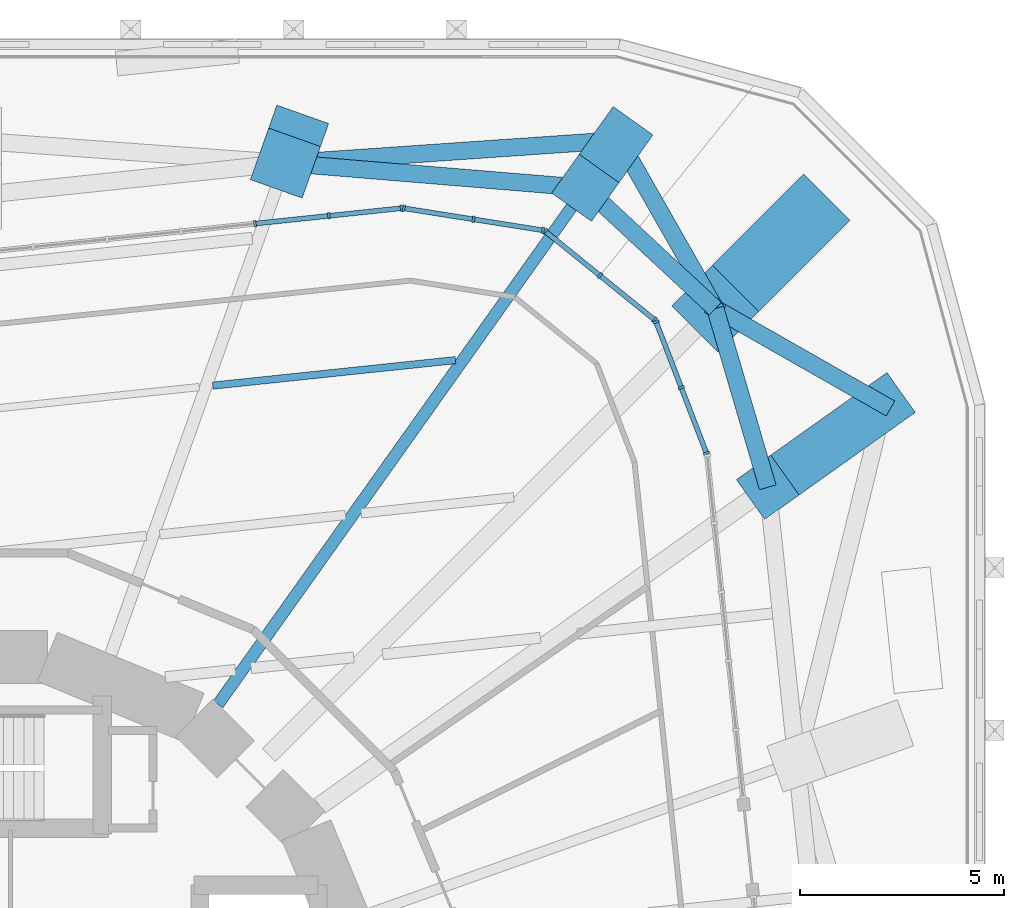
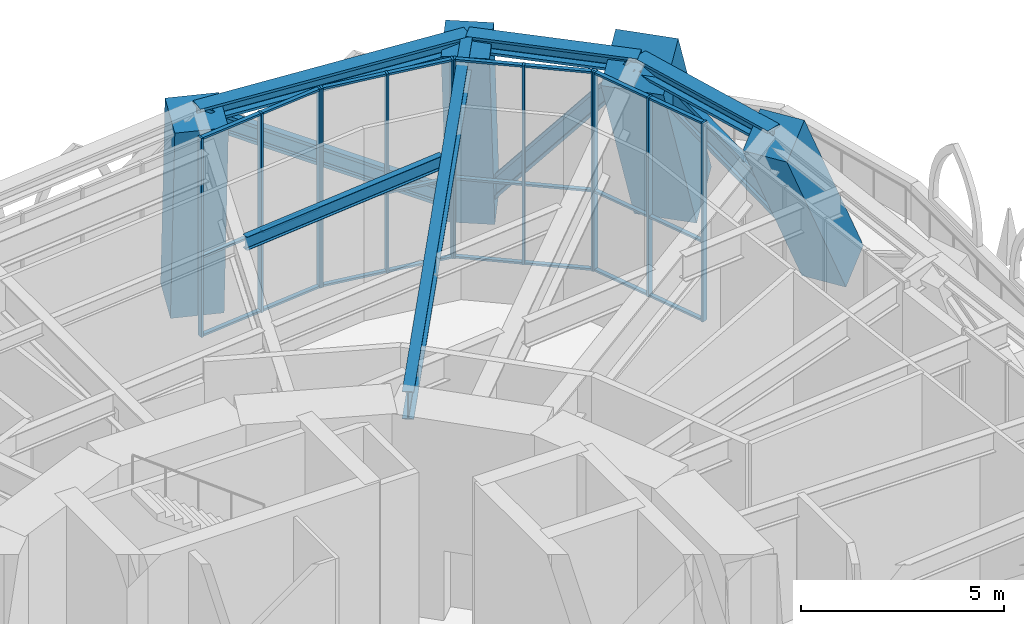
# One storey, part 11 of 20: 46 members, 2 beams, 4 elements without a shape of their own.
"""IFC4 building model written with IfcOpenShell, lengths in metres."""

import ifcopenshell
import ifcopenshell.guid

model = None  # the IFC model being written
_history = None  # IfcOwnerHistory: only IFC2X3 demands one
_inside = {}  # id of a spatial element -> (the spatial element, [elements in it])
_under = {}  # id of a project, library or spatial element -> (it, [spatial elements below it])
_declared = {}  # id of a project -> (the project, [libraries it declares])
_typed = {}  # id of a type object -> (the type object, [elements of that type])
_made_of = {}  # id of a material, layer set ... -> (it, [elements and type objects made of it])


def new_model(schema):
    """Start an empty IFC model of exactly this schema.

    Asked for "IFC4X3", IfcOpenShell would pick the latest addendum, in which some entities
    have other attributes; the version numbers below select the first issue.
    IFC2X3 requires an IfcOwnerHistory on every rooted entity: one is made here for all.
    """
    global model, _history
    if schema == "IFC4X3":
        model = ifcopenshell.file(schema_version=(4, 3, 0, 0))
    else:
        model = ifcopenshell.file(schema=schema)
    _inside.clear()
    _under.clear()
    _declared.clear()
    _typed.clear()
    _made_of.clear()
    _history = None
    if model.schema == "IFC2X3":
        org = make("IfcOrganization", Name="unknown")
        user = make(
            "IfcPersonAndOrganization",
            ThePerson=make("IfcPerson", FamilyName="unknown"),
            TheOrganization=org,
        )
        app = make(
            "IfcApplication",
            ApplicationDeveloper=org,
            Version="unknown",
            ApplicationFullName="unknown",
            ApplicationIdentifier="unknown",
        )
        _history = make(
            "IfcOwnerHistory",
            OwningUser=user,
            OwningApplication=app,
            ChangeAction="ADDED",
            CreationDate=0,
        )
    return model


def make(cls, **values):
    """One entity of the class cls with the attributes given. An attribute that is None is left unset."""
    return model.create_entity(
        cls, **{name: value for name, value in values.items() if value is not None}
    )


def rooted(cls, **values):
    """An entity with a GlobalId (a new one), such as an element, a storey or a relation."""
    return make(cls, GlobalId=ifcopenshell.guid.new(), OwnerHistory=_history, **values)


def si_unit(unit_type, name, prefix=None):
    """IfcSIUnit, for example si_unit("LENGTHUNIT", "METRE", prefix="MILLI")."""
    return make("IfcSIUnit", UnitType=unit_type, Prefix=prefix, Name=name)


def assignment(units):
    """IfcUnitAssignment: the units of a project."""
    return None if units is None else make("IfcUnitAssignment", Units=units)


def point(xyz):
    """IfcCartesianPoint."""
    return None if xyz is None else make("IfcCartesianPoint", Coordinates=xyz)


def direction(xyz):
    """IfcDirection."""
    return None if xyz is None else make("IfcDirection", DirectionRatios=xyz)


def frame(location, z_axis=None, x_axis=None):
    """IfcAxis2Placement3D, a coordinate frame: its origin and axes. An axis left out is left unset."""
    return make(
        "IfcAxis2Placement3D",
        Location=point(location),
        Axis=direction(z_axis),
        RefDirection=direction(x_axis),
    )


def frame_2d(location, x_axis=None):
    """IfcAxis2Placement2D, a coordinate frame in the plane: its origin and x axis."""
    return make(
        "IfcAxis2Placement2D", Location=point(location), RefDirection=direction(x_axis)
    )


def origin():
    """The frame at (0, 0, 0) with its axes left unset."""
    return frame((0.0, 0.0, 0.0))


def origin_2d():
    """The frame at (0, 0) in the plane with its x axis left unset."""
    return frame_2d((0.0, 0.0))


def place(relative_to, where):
    """IfcLocalPlacement: puts the frame where relative to a parent placement (None: the world)."""
    return make(
        "IfcLocalPlacement", PlacementRelTo=relative_to, RelativePlacement=where
    )


def context(
    kind, dimensions, precision=None, world=None, true_north=None, identifier=None
):
    """IfcGeometricRepresentationContext, for example the 3D "Model" context."""
    return make(
        "IfcGeometricRepresentationContext",
        ContextIdentifier=identifier,
        ContextType=kind,
        CoordinateSpaceDimension=dimensions,
        Precision=precision,
        WorldCoordinateSystem=world,
        TrueNorth=true_north,
    )


def subcontext(parent, identifier, kind, view, scale=None):
    """IfcGeometricRepresentationSubContext, for example "Body" below "Model"."""
    return make(
        "IfcGeometricRepresentationSubContext",
        ContextIdentifier=identifier,
        ContextType=kind,
        ParentContext=parent,
        TargetScale=scale,
        TargetView=view,
    )


def project(units=None, contexts=None):
    """IfcProject with its units and contexts."""
    return rooted(
        "IfcProject",
        Name="project",
        RepresentationContexts=contexts,
        UnitsInContext=assignment(units),
    )


def spatial(cls, under=None, at=None, **own):
    """A site, building, storey or space (cls), placed at a placement, below another one or the project."""
    s = rooted(cls, ObjectPlacement=at, **own)
    if under is not None:
        _under.setdefault(under.id(), (under, []))[1].append(s)
    return s


def profile(cls, at=None, kind="AREA", **sizes):
    """A parametric profile (cls). Its sizes go by their IFC names, for example OverallWidth=200.0."""
    return make(cls, ProfileType=kind, Position=at, **sizes)


def rectangle(**sizes):
    """IfcRectangleProfileDef."""
    return profile("IfcRectangleProfileDef", **sizes)


def i_section(**sizes):
    """IfcIShapeProfileDef."""
    return profile("IfcIShapeProfileDef", **sizes)


def extrude(swept, where, along, depth):
    """IfcExtrudedAreaSolid: the profile swept, set in the frame where, extruded along a direction by depth."""
    return make(
        "IfcExtrudedAreaSolid",
        SweptArea=swept,
        Position=where,
        ExtrudedDirection=direction(along),
        Depth=depth,
    )


def shape(context_of_items, identifier, shape_type, items):
    """IfcShapeRepresentation: the items that make up one representation, for example the "Body"."""
    return make(
        "IfcShapeRepresentation",
        ContextOfItems=context_of_items,
        RepresentationIdentifier=identifier,
        RepresentationType=shape_type,
        Items=items,
    )


def material(Name=None, Category=None):
    """IfcMaterial."""
    return make("IfcMaterial", Name=Name, Category=Category)


def material_profile(
    of_material, cross_section, Name=None, Category=None, Priority=None
):
    """IfcMaterialProfile: a cross section and its material."""
    return make(
        "IfcMaterialProfile",
        Name=Name,
        Material=of_material,
        Profile=cross_section,
        Priority=Priority,
        Category=Category,
    )


def profile_set(profiles, Name=None, composite=None):
    """IfcMaterialProfileSet."""
    return make(
        "IfcMaterialProfileSet",
        Name=Name,
        MaterialProfiles=profiles,
        CompositeProfile=composite,
    )


def made_of(thing, what):
    """Note that an element or type object is made of a material, layer set ...; save() writes the relation."""
    if what is not None:
        _made_of.setdefault(what.id(), (what, []))[1].append(thing)
    return thing


def type_object(cls, material=None, **own):
    """A type object (cls), such as IfcWallType, which elements share."""
    return made_of(rooted(cls, **own), material)


def element(
    cls,
    number,
    at=None,
    inside=None,
    cuts=None,
    type_object=None,
    material=None,
    context=None,
    identifier="Body",
    shape_type=None,
    held_by="IfcProductDefinitionShape",
    body=None,
    shapes=None,
    **own,
):
    """One element of the class cls, such as IfcWall. Its Tag is "e" and its number.

    at: its placement. inside: the storey or other place that contains it. cuts: it is an
    opening in that element (IfcRelVoidsElement). A single representation is given by context,
    identifier, shape_type and body (its items); several are given by shapes. held_by: the class
    of the entity that holds the representations. save() writes the other relations.
    """
    e = rooted(cls, Tag="e%d" % number, ObjectPlacement=at, **own)
    if body is not None:
        shapes = [shape(context, identifier, shape_type, body)]
    if shapes is not None:
        e.Representation = make(held_by, Representations=shapes)
    if inside is not None:
        _inside.setdefault(inside.id(), (inside, []))[1].append(e)
    if cuts is not None:
        rooted(
            "IfcRelVoidsElement", RelatingBuildingElement=cuts, RelatedOpeningElement=e
        )
    if type_object is not None:
        _typed.setdefault(type_object.id(), (type_object, []))[1].append(e)
    return made_of(e, material)


def aggregate(whole, parts):
    """IfcRelAggregates: a whole, such as a stair, and the parts it consists of."""
    return rooted("IfcRelAggregates", RelatingObject=whole, RelatedObjects=parts)


def save(model, path):
    """Write the relations noted so far, then the file.

    IfcRelAggregates (storeys below a building ...), IfcRelContainedInSpatialStructure (elements
    in a storey), IfcRelDefinesByType, IfcRelAssociatesMaterial and IfcRelDeclares: one each for
    every whole, place, type object, material and project.
    """
    for whole, parts in _under.values():
        aggregate(whole, parts)
    for where, things in _inside.values():
        rooted(
            "IfcRelContainedInSpatialStructure",
            RelatedElements=things,
            RelatingStructure=where,
        )
    for kind, things in _typed.values():
        rooted("IfcRelDefinesByType", RelatedObjects=things, RelatingType=kind)
    for what, things in _made_of.values():
        rooted("IfcRelAssociatesMaterial", RelatedObjects=things, RelatingMaterial=what)
    for by, libraries in _declared.values():
        rooted("IfcRelDeclares", RelatingContext=by, RelatedDefinitions=libraries)
    model.write(path)


model = new_model("IFC4")

# Units and contexts
model_context = context("Model", 3, precision=1e-05, world=origin(), true_north=direction((0.0, 1.0)))
body_context = subcontext(model_context, "Body", "Model", "MODEL_VIEW")
ifc_project = project(units=[si_unit("LENGTHUNIT", "METRE"), si_unit("AREAUNIT", "SQUARE_METRE"), si_unit("VOLUMEUNIT", "CUBIC_METRE"), si_unit("PLANEANGLEUNIT", "RADIAN"), si_unit("MASSUNIT", "GRAM", prefix="KILO")], contexts=[model_context])

# Site, building, storey
site_placement = place(None, origin())
site = spatial("IfcSite", under=ifc_project, at=site_placement, CompositionType="ELEMENT")
building_placement = place(site_placement, origin())
building = spatial("IfcBuilding", under=site, at=building_placement, Name="Nakasero Lantern House", CompositionType="ELEMENT")
storey_placement = place(building_placement, frame((0.0, 0.0, 54.5)))
storey = spatial("IfcBuildingStorey", under=building, at=storey_placement, Name="L13", CompositionType="ELEMENT", Elevation=54.5)

# Members
ifc_material_1 = material(Name="Steel S355", Category="steel")
ifc_material_profile_1 = material_profile(ifc_material_1, i_section(OverallWidth=0.424072265625, OverallDepth=0.474609375, WebThickness=0.047607421875, FlangeThickness=0.076904296875, FilletRadius=0.01513671875, at=origin_2d()), Name="UC 356x406x634")
ifc_profile_set_1 = profile_set([ifc_material_profile_1], Name="Steel S355")
member_type_1 = type_object("IfcMemberType", Name="Belt truss chord UC 356x406x634", PredefinedType="CHORD", material=ifc_profile_set_1)
member_1_placement = place(storey_placement, frame((19.647216796875, 13.971435546875, 5.562744140625), z_axis=(-0.28161710443, 0.959526865957, 0.0), x_axis=(-0.959526865957, -0.28161710443, 0.0)))
element("IfcMember", 1, at=member_1_placement, inside=storey, type_object=member_type_1, Name="Belt truss top chord T1 B2-C05T", PredefinedType="CHORD", context=body_context, shape_type="SweptSolid", body=[
    extrude(i_section(OverallWidth=0.424072265625, OverallDepth=0.474609375, WebThickness=0.047607421875, FlangeThickness=0.076904296875, FilletRadius=0.01513671875, at=origin_2d()), origin(), (0.0, 0.0, 1.0), 4.572998046875),
])
member_2_placement = place(storey_placement, frame((18.359375, 18.359375, 5.562744140625), z_axis=(-0.732370510336, 0.680906333933, 0.0), x_axis=(-0.680906333933, -0.732370510336, 0.0)))
element("IfcMember", 2, at=member_2_placement, inside=storey, type_object=member_type_1, Name="Belt truss top chord T1 B2-C06T", PredefinedType="CHORD", context=body_context, shape_type="SweptSolid", body=[
    extrude(i_section(OverallWidth=0.424072265625, OverallDepth=0.474609375, WebThickness=0.047607421875, FlangeThickness=0.076904296875, FilletRadius=0.01513671875, at=origin_2d()), origin(), (0.0, 0.0, 1.0), 4.359619140625),
])
member_3_placement = place(storey_placement, frame((15.16650390625, 21.327880859375, 5.562744140625), z_axis=(-0.996618261264, 0.08217080574, 0.0), x_axis=(-0.08217080574, -0.996618261264, 0.0)))
element("IfcMember", 3, at=member_3_placement, inside=storey, type_object=member_type_1, Name="Belt truss top chord T1 B2-C07T", PredefinedType="CHORD", context=body_context, shape_type="SweptSolid", body=[
    extrude(i_section(OverallWidth=0.424072265625, OverallDepth=0.474609375, WebThickness=0.047607421875, FlangeThickness=0.076904296875, FilletRadius=0.01513671875, at=origin_2d()), origin(), (0.0, 0.0, 1.0), 7.39208984375),
])
ifc_material_2 = material(Name="Steel S355", Category="steel")
ifc_material_profile_2 = material_profile(ifc_material_2, i_section(OverallWidth=0.424072265625, OverallDepth=0.474609375, WebThickness=0.047607421875, FlangeThickness=0.076904296875, FilletRadius=0.01513671875, at=origin_2d()), Name="UC 356x406x634")
ifc_profile_set_2 = profile_set([ifc_material_profile_2], Name="Steel S355")
member_type_2 = type_object("IfcMemberType", Name="Belt truss diagonal UC 356x406x634", PredefinedType="BRACE", material=ifc_profile_set_2)
for number, where, z_axis, x_axis, name in (
    (4, (22.5, 16.0, -0.437255859375), (-0.540386618811, 0.307918412983, 0.783050798579), (-0.495079306219, -0.86884778906, 0.0), "Belt truss diagonal T1-05"),
    (5, (18.359375, 18.359375, 5.562744140625), (-0.307918412983, 0.540386618811, -0.783050798579), (-0.86884778906, -0.495079306219, 0.0), "Belt truss diagonal T1-06"),
):
    element("IfcMember", number, at=place(storey_placement, frame(where, z_axis=z_axis, x_axis=x_axis)), inside=storey, type_object=member_type_2, Name=name, PredefinedType="BRACE", context=body_context, shape_type="SweptSolid", body=[
        extrude(i_section(OverallWidth=0.424072265625, OverallDepth=0.474609375, WebThickness=0.047607421875, FlangeThickness=0.076904296875, FilletRadius=0.01513671875, at=origin_2d()), origin(), (0.0, 0.0, 1.0), 7.662353515625),
    ])
member_4_placement = place(storey_placement, frame((16.0, 22.5, -0.437255859375), z_axis=(-0.805810402985, -0.055487926827, 0.589568218629), x_axis=(0.068697102838, -0.997637563478, 0.0)))
element("IfcMember", 6, at=member_4_placement, inside=storey, type_object=member_type_2, Name="Belt truss diagonal T1-07", PredefinedType="BRACE", context=body_context, shape_type="SweptSolid", body=[
    extrude(i_section(OverallWidth=0.424072265625, OverallDepth=0.474609375, WebThickness=0.047607421875, FlangeThickness=0.076904296875, FilletRadius=0.01513671875, at=origin_2d()), origin(), (0.0, 0.0, 1.0), 10.177001953125),
])

# Beam
ifc_material_3 = material(Name="Steel S355", Category="steel")
ifc_material_profile_3 = material_profile(ifc_material_3, i_section(OverallWidth=0.177978515625, OverallDepth=0.406494140625, WebThickness=0.0078125, FlangeThickness=0.0126953125, FilletRadius=0.01025390625, at=origin_2d()), Name="UB 406x178x60")
ifc_profile_set_3 = profile_set([ifc_material_profile_3], Name="Steel S355")
beam_type_1 = type_object("IfcBeamType", Name="Infill beam UB 406x178x60", PredefinedType="JOIST", material=ifc_profile_set_3)
beam_1_placement = place(storey_placement, frame((6.014892578125, 16.468994140625, 5.5966796875), z_axis=(0.994521729164, 0.104530044579, 0.0), x_axis=(-0.104530044579, 0.994521729164, 0.0)))
element("IfcBeam", 7, at=beam_1_placement, inside=storey, type_object=beam_type_1, Name="Infill beam L14 12.7", PredefinedType="JOIST", context=body_context, shape_type="SweptSolid", body=[
    extrude(i_section(OverallWidth=0.177978515625, OverallDepth=0.406494140625, WebThickness=0.0078125, FlangeThickness=0.0126953125, FilletRadius=0.01025390625, at=origin_2d()), origin(), (0.0, 0.0, 1.0), 5.99560546875),
])

# Curtain wall, members
ifc_material_4 = material(Name="Aluminium 6063-T6 and glass", Category="aluminium")
curtain_wall_type = type_object("IfcCurtainWallType", Name="Sky lounge glazing CW-3", PredefinedType="USERDEFINED", material=ifc_material_4)
curtain_wall_1_placement = place(storey_placement, origin())
curtain_wall_1 = element("IfcCurtainWall", 8, at=curtain_wall_1_placement, inside=storey, type_object=curtain_wall_type, Name="Curtain wall CW-3 L13", ObjectType="STICK CURTAIN WALL", PredefinedType="USERDEFINED")
ifc_material_5 = material(Name="Aluminium 6063-T6", Category="aluminium")
ifc_material_profile_4 = material_profile(ifc_material_5, rectangle(XDim=0.06005859375, YDim=0.159912109375, at=origin_2d()), Name="CW-3 mullion 60x160")
ifc_profile_set_4 = profile_set([ifc_material_profile_4], Name="Aluminium 6063-T6")
member_type_3 = type_object("IfcMemberType", Name="Mullion CW-3", PredefinedType="MULLION", material=ifc_profile_set_4)
member_5_placement = place(storey_placement, frame((18.142822265625, 14.806640625, 0.0), z_axis=(0.0, 0.0, 1.0), x_axis=(-0.358367949545, 0.933580426497, 0.0)))
member_5 = element("IfcMember", 9, at=member_5_placement, type_object=member_type_3, Name="CW-3 mullion 1", PredefinedType="MULLION", context=body_context, shape_type="SweptSolid", body=[
    extrude(rectangle(XDim=0.06005859375, YDim=0.159912109375, at=origin_2d()), origin(), (0.0, 0.0, 1.0), 6.0),
])
member_6_placement = place(storey_placement, frame((17.52294921875, 16.42138671875, 0.0), z_axis=(0.0, 0.0, 1.0), x_axis=(-0.358367949545, 0.933580426497, 0.0)))
member_6 = element("IfcMember", 10, at=member_6_placement, type_object=member_type_3, Name="CW-3 mullion 2", PredefinedType="MULLION", context=body_context, shape_type="SweptSolid", body=[
    extrude(rectangle(XDim=0.06005859375, YDim=0.159912109375, at=origin_2d()), origin(), (0.0, 0.0, 1.0), 6.0),
])
member_7_placement = place(storey_placement, frame((16.903076171875, 18.0361328125, 0.0), z_axis=(0.0, 0.0, 1.0), x_axis=(-0.358367949545, 0.933580426497, 0.0)))
member_7 = element("IfcMember", 11, at=member_7_placement, type_object=member_type_3, Name="CW-3 mullion 3", PredefinedType="MULLION", context=body_context, shape_type="SweptSolid", body=[
    extrude(rectangle(XDim=0.06005859375, YDim=0.159912109375, at=origin_2d()), origin(), (0.0, 0.0, 1.0), 6.0),
])

curtain_wall_2_placement = place(storey_placement, origin())
curtain_wall_2 = element("IfcCurtainWall", 12, at=curtain_wall_2_placement, inside=storey, type_object=curtain_wall_type, Name="Curtain wall CW-3 L13", ObjectType="STICK CURTAIN WALL", PredefinedType="USERDEFINED")
member_8_placement = place(storey_placement, frame((16.869140625, 18.0830078125, 0.0), z_axis=(0.0, 0.0, 1.0), x_axis=(-0.777145961457, 0.62932039105, 0.0)))
member_8 = element("IfcMember", 13, at=member_8_placement, type_object=member_type_3, Name="CW-3 mullion 1", PredefinedType="MULLION", context=body_context, shape_type="SweptSolid", body=[
    extrude(rectangle(XDim=0.06005859375, YDim=0.159912109375, at=origin_2d()), origin(), (0.0, 0.0, 1.0), 6.0),
])
member_9_placement = place(storey_placement, frame((15.52490234375, 19.171630859375, 0.0), z_axis=(0.0, 0.0, 1.0), x_axis=(-0.777145961457, 0.62932039105, 0.0)))
member_9 = element("IfcMember", 14, at=member_9_placement, type_object=member_type_3, Name="CW-3 mullion 2", PredefinedType="MULLION", context=body_context, shape_type="SweptSolid", body=[
    extrude(rectangle(XDim=0.06005859375, YDim=0.159912109375, at=origin_2d()), origin(), (0.0, 0.0, 1.0), 6.0),
])
member_10_placement = place(storey_placement, frame((14.1806640625, 20.26025390625, 0.0), z_axis=(0.0, 0.0, 1.0), x_axis=(-0.777145961457, 0.62932039105, 0.0)))
member_10 = element("IfcMember", 15, at=member_10_placement, type_object=member_type_3, Name="CW-3 mullion 3", PredefinedType="MULLION", context=body_context, shape_type="SweptSolid", body=[
    extrude(rectangle(XDim=0.06005859375, YDim=0.159912109375, at=origin_2d()), origin(), (0.0, 0.0, 1.0), 6.0),
])

curtain_wall_3_placement = place(storey_placement, origin())
curtain_wall_3 = element("IfcCurtainWall", 16, at=curtain_wall_3_placement, inside=storey, type_object=curtain_wall_type, Name="Curtain wall CW-3 L13", ObjectType="STICK CURTAIN WALL", PredefinedType="USERDEFINED")
member_11_placement = place(storey_placement, frame((14.127685546875, 20.28369140625, 0.0), z_axis=(0.0, 0.0, 1.0), x_axis=(-0.987688340595, 0.15643446504, 0.0)))
member_11 = element("IfcMember", 17, at=member_11_placement, type_object=member_type_3, Name="CW-3 mullion 1", PredefinedType="MULLION", context=body_context, shape_type="SweptSolid", body=[
    extrude(rectangle(XDim=0.06005859375, YDim=0.159912109375, at=origin_2d()), origin(), (0.0, 0.0, 1.0), 6.0),
])
member_12_placement = place(storey_placement, frame((12.419189453125, 20.55419921875, 0.0), z_axis=(0.0, 0.0, 1.0), x_axis=(-0.987688340595, 0.15643446504, 0.0)))
member_12 = element("IfcMember", 18, at=member_12_placement, type_object=member_type_3, Name="CW-3 mullion 2", PredefinedType="MULLION", context=body_context, shape_type="SweptSolid", body=[
    extrude(rectangle(XDim=0.06005859375, YDim=0.159912109375, at=origin_2d()), origin(), (0.0, 0.0, 1.0), 6.0),
])
member_13_placement = place(storey_placement, frame((10.7109375, 20.824951171875, 0.0), z_axis=(0.0, 0.0, 1.0), x_axis=(-0.987688340595, 0.15643446504, 0.0)))
member_13 = element("IfcMember", 19, at=member_13_placement, type_object=member_type_3, Name="CW-3 mullion 3", PredefinedType="MULLION", context=body_context, shape_type="SweptSolid", body=[
    extrude(rectangle(XDim=0.06005859375, YDim=0.159912109375, at=origin_2d()), origin(), (0.0, 0.0, 1.0), 6.0),
])

curtain_wall_4_placement = place(storey_placement, origin())
curtain_wall_4 = element("IfcCurtainWall", 20, at=curtain_wall_4_placement, inside=storey, type_object=curtain_wall_type, Name="Curtain wall CW-3 L13", ObjectType="STICK CURTAIN WALL", PredefinedType="USERDEFINED")
member_14_placement = place(storey_placement, frame((10.6513671875, 20.826416015625, 0.0), z_axis=(0.0, 0.0, 1.0), x_axis=(-0.994521895368, -0.104528463268, 0.0)))
member_14 = element("IfcMember", 21, at=member_14_placement, type_object=member_type_3, Name="CW-3 mullion 1", PredefinedType="MULLION", context=body_context, shape_type="SweptSolid", body=[
    extrude(rectangle(XDim=0.06005859375, YDim=0.159912109375, at=origin_2d()), origin(), (0.0, 0.0, 1.0), 6.0),
])
member_15_placement = place(storey_placement, frame((8.8662109375, 20.638916015625, 0.0), z_axis=(0.0, 0.0, 1.0), x_axis=(-0.994521895368, -0.104528463268, 0.0)))
member_15 = element("IfcMember", 22, at=member_15_placement, type_object=member_type_3, Name="CW-3 mullion 2", PredefinedType="MULLION", context=body_context, shape_type="SweptSolid", body=[
    extrude(rectangle(XDim=0.06005859375, YDim=0.159912109375, at=origin_2d()), origin(), (0.0, 0.0, 1.0), 6.0),
])
member_16_placement = place(storey_placement, frame((7.05126953125, 20.447998046875, 0.0), z_axis=(0.0, 0.0, 1.0), x_axis=(-0.994521895368, -0.104528463268, 0.0)))
member_16 = element("IfcMember", 23, at=member_16_placement, type_object=member_type_3, Name="CW-3 mullion 3", PredefinedType="MULLION", context=body_context, shape_type="SweptSolid", body=[
    extrude(rectangle(XDim=0.06005859375, YDim=0.159912109375, at=origin_2d()), origin(), (0.0, 0.0, 1.0), 6.0),
])

# Beam
ifc_material_6 = material(Name="Steel S355", Category="steel")
ifc_material_profile_5 = material_profile(ifc_material_6, i_section(OverallWidth=0.29248046875, OverallDepth=0.8408203125, WebThickness=0.0146484375, FlangeThickness=0.02685546875, FilletRadius=0.017822265625, at=origin_2d()), Name="UB 838x292x194")
ifc_profile_set_5 = profile_set([ifc_material_profile_5], Name="Steel S355")
beam_type_2 = type_object("IfcBeamType", Name="Primary beam UB 838x292x194, span over 15 m", PredefinedType="BEAM", material=ifc_profile_set_5)
beam_2_placement = place(storey_placement, frame((15.16650390625, 21.327880859375, 5.379638671875), z_axis=(-0.57952911085, -0.814951538239, 0.0), x_axis=(0.814951538239, -0.57952911085, 0.0)))
element("IfcBeam", 24, at=beam_2_placement, inside=storey, type_object=beam_type_2, Name="Primary beam L14 B2-C07T", PredefinedType="BEAM", context=body_context, shape_type="SweptSolid", body=[
    extrude(i_section(OverallWidth=0.29248046875, OverallDepth=0.8408203125, WebThickness=0.0146484375, FlangeThickness=0.02685546875, FilletRadius=0.017822265625, at=origin_2d()), origin(), (0.0, 0.0, 1.0), 15.564697265625),
])

# Members
ifc_material_7 = material(Name="Concrete C50/60", Category="concrete")
ifc_material_profile_6 = material_profile(ifc_material_7, rectangle(XDim=1.199951171875, YDim=1.199951171875, at=origin_2d()), Name="RC 1200x1200")
ifc_profile_set_6 = profile_set([ifc_material_profile_6], Name="Concrete C50/60")
member_type_4 = type_object("IfcMemberType", Name="Raking column RC 1200x1200 C50/60", PredefinedType="STRUT", material=ifc_profile_set_6)
member_17_placement = place(storey_placement, frame((22.5, 16.0, -0.437255859375), z_axis=(-0.410680992611, -0.292028101635, 0.863748059427), x_axis=(0.579508345901, -0.814966304231, 0.0)))
element("IfcMember", 25, at=member_17_placement, inside=storey, type_object=member_type_4, Name="Raking column B2-C05T L13", PredefinedType="STRUT", context=body_context, shape_type="SweptSolid", body=[
    extrude(rectangle(XDim=1.199951171875, YDim=1.199951171875, at=origin_2d()), origin(), (0.0, 0.0, 1.0), 6.946533203125),
])
member_18_placement = place(storey_placement, frame((16.0, 22.5, -0.437255859375), z_axis=(-0.135089077411, -0.189971488181, 0.972451425441), x_axis=(0.814958887641, -0.579518775757, 0.0)))
element("IfcMember", 26, at=member_18_placement, inside=storey, type_object=member_type_4, Name="Raking column B2-C07T L13", PredefinedType="STRUT", context=body_context, shape_type="SweptSolid", body=[
    extrude(rectangle(XDim=1.199951171875, YDim=1.199951171875, at=origin_2d()), origin(), (0.0, 0.0, 1.0), 6.169921875),
])
ifc_material_8 = material(Name="Concrete C50/60", Category="concrete")
ifc_material_profile_7 = material_profile(ifc_material_8, rectangle(XDim=1.35009765625, YDim=1.35009765625, at=origin_2d()), Name="RC 1350x1350")
ifc_profile_set_7 = profile_set([ifc_material_profile_7], Name="Concrete C50/60")
member_type_5 = type_object("IfcMemberType", Name="Raking column RC 1350x1350 C50/60", PredefinedType="STRUT", material=ifc_profile_set_7)
member_19_placement = place(storey_placement, frame((8.0, 22.5, -0.437255859375), z_axis=(-0.033281659067, -0.093650215843, 0.995048726567), x_axis=(0.942266114932, -0.334865000637, 0.0)))
element("IfcMember", 27, at=member_19_placement, inside=storey, type_object=member_type_5, Name="Raking column B2-C08T L13", PredefinedType="STRUT", context=body_context, shape_type="SweptSolid", body=[
    extrude(rectangle(XDim=1.35009765625, YDim=1.35009765625, at=origin_2d()), origin(), (0.0, 0.0, 1.0), 6.02978515625),
])
ifc_material_9 = material(Name="Concrete C50/60", Category="concrete")
ifc_material_profile_8 = material_profile(ifc_material_9, rectangle(XDim=1.60009765625, YDim=1.60009765625, at=origin_2d()), Name="RC 1600x1600")
ifc_profile_set_8 = profile_set([ifc_material_profile_8], Name="Concrete C50/60")
member_type_6 = type_object("IfcMemberType", Name="Raking column RC 1600x1600 C50/60", PredefinedType="STRUT", material=ifc_profile_set_8)
member_20_placement = place(storey_placement, frame((20.59619140625, 20.59619140625, -0.437255859375), z_axis=(-0.329776587984, -0.329776587984, 0.88458736371), x_axis=(0.707106781187, -0.707106781187, 0.0)))
element("IfcMember", 28, at=member_20_placement, inside=storey, type_object=member_type_6, Name="Raking column B2-C06T L13", PredefinedType="STRUT", context=body_context, shape_type="SweptSolid", body=[
    extrude(rectangle(XDim=1.60009765625, YDim=1.60009765625, at=origin_2d()), origin(), (0.0, 0.0, 1.0), 6.78271484375),
])

# Member
ifc_material_10 = material(Name="Aluminium 6063-T6", Category="aluminium")
ifc_material_profile_9 = material_profile(ifc_material_10, rectangle(XDim=0.06005859375, YDim=0.1201171875, at=origin_2d()), Name="CW-3 transom 60x120")
ifc_profile_set_9 = profile_set([ifc_material_profile_9], Name="Aluminium 6063-T6")
member_type_7 = type_object("IfcMemberType", Name="Transom CW-3", PredefinedType="USERDEFINED", material=ifc_profile_set_9)
member_21_placement = place(storey_placement, frame((18.132080078125, 14.83447265625, 0.030029296875), z_axis=(-0.358371535133, 0.933579050111, 0.0), x_axis=(0.0, 0.0, 1.0)))
member_21 = element("IfcMember", 29, at=member_21_placement, type_object=member_type_7, Name="CW-3 transom 1.1", ObjectType="TRANSOM", PredefinedType="USERDEFINED", context=body_context, shape_type="SweptSolid", body=[
    extrude(rectangle(XDim=0.06005859375, YDim=0.1201171875, at=origin_2d()), origin(), (0.0, 0.0, 1.0), 1.669677734375),
])

member_22_placement = place(storey_placement, frame((18.132080078125, 14.83447265625, 2.39990234375), z_axis=(-0.358371535133, 0.933579050111, 0.0), x_axis=(0.0, 0.0, 1.0)))
member_22 = element("IfcMember", 30, at=member_22_placement, type_object=member_type_7, Name="CW-3 transom 1.2", ObjectType="TRANSOM", PredefinedType="USERDEFINED", context=body_context, shape_type="SweptSolid", body=[
    extrude(rectangle(XDim=0.06005859375, YDim=0.1201171875, at=origin_2d()), origin(), (0.0, 0.0, 1.0), 1.669677734375),
])

member_23_placement = place(storey_placement, frame((18.132080078125, 14.83447265625, 5.969970703125), z_axis=(-0.358371535133, 0.933579050111, 0.0), x_axis=(0.0, 0.0, 1.0)))
member_23 = element("IfcMember", 31, at=member_23_placement, type_object=member_type_7, Name="CW-3 transom 1.3", ObjectType="TRANSOM", PredefinedType="USERDEFINED", context=body_context, shape_type="SweptSolid", body=[
    extrude(rectangle(XDim=0.06005859375, YDim=0.1201171875, at=origin_2d()), origin(), (0.0, 0.0, 1.0), 1.669677734375),
])

member_24_placement = place(storey_placement, frame((17.51220703125, 16.449462890625, 0.030029296875), z_axis=(-0.358371535133, 0.933579050111, 0.0), x_axis=(0.0, 0.0, 1.0)))
member_24 = element("IfcMember", 32, at=member_24_placement, type_object=member_type_7, Name="CW-3 transom 2.1", ObjectType="TRANSOM", PredefinedType="USERDEFINED", context=body_context, shape_type="SweptSolid", body=[
    extrude(rectangle(XDim=0.06005859375, YDim=0.1201171875, at=origin_2d()), origin(), (0.0, 0.0, 1.0), 1.669677734375),
])

member_25_placement = place(storey_placement, frame((17.51220703125, 16.449462890625, 2.39990234375), z_axis=(-0.358371535133, 0.933579050111, 0.0), x_axis=(0.0, 0.0, 1.0)))
member_25 = element("IfcMember", 33, at=member_25_placement, type_object=member_type_7, Name="CW-3 transom 2.2", ObjectType="TRANSOM", PredefinedType="USERDEFINED", context=body_context, shape_type="SweptSolid", body=[
    extrude(rectangle(XDim=0.06005859375, YDim=0.1201171875, at=origin_2d()), origin(), (0.0, 0.0, 1.0), 1.669677734375),
])

member_26_placement = place(storey_placement, frame((17.51220703125, 16.449462890625, 5.969970703125), z_axis=(-0.358371535133, 0.933579050111, 0.0), x_axis=(0.0, 0.0, 1.0)))
member_26 = element("IfcMember", 34, at=member_26_placement, type_object=member_type_7, Name="CW-3 transom 2.3", ObjectType="TRANSOM", PredefinedType="USERDEFINED", context=body_context, shape_type="SweptSolid", body=[
    extrude(rectangle(XDim=0.06005859375, YDim=0.1201171875, at=origin_2d()), origin(), (0.0, 0.0, 1.0), 1.669677734375),
])

aggregate(curtain_wall_1, [member_5, member_6, member_7, member_21, member_22, member_23, member_24, member_25, member_26])

member_27_placement = place(storey_placement, frame((16.845703125, 18.10205078125, 0.030029296875), z_axis=(-0.777146114236, 0.629320202384, 0.0), x_axis=(0.0, 0.0, 1.0)))
member_27 = element("IfcMember", 35, at=member_27_placement, type_object=member_type_7, Name="CW-3 transom 1.1", ObjectType="TRANSOM", PredefinedType="USERDEFINED", context=body_context, shape_type="SweptSolid", body=[
    extrude(rectangle(XDim=0.06005859375, YDim=0.1201171875, at=origin_2d()), origin(), (0.0, 0.0, 1.0), 1.669677734375),
])

member_28_placement = place(storey_placement, frame((16.845703125, 18.10205078125, 2.39990234375), z_axis=(-0.777146114236, 0.629320202384, 0.0), x_axis=(0.0, 0.0, 1.0)))
member_28 = element("IfcMember", 36, at=member_28_placement, type_object=member_type_7, Name="CW-3 transom 1.2", ObjectType="TRANSOM", PredefinedType="USERDEFINED", context=body_context, shape_type="SweptSolid", body=[
    extrude(rectangle(XDim=0.06005859375, YDim=0.1201171875, at=origin_2d()), origin(), (0.0, 0.0, 1.0), 1.669677734375),
])

member_29_placement = place(storey_placement, frame((16.845703125, 18.10205078125, 5.969970703125), z_axis=(-0.777146114236, 0.629320202384, 0.0), x_axis=(0.0, 0.0, 1.0)))
member_29 = element("IfcMember", 37, at=member_29_placement, type_object=member_type_7, Name="CW-3 transom 1.3", ObjectType="TRANSOM", PredefinedType="USERDEFINED", context=body_context, shape_type="SweptSolid", body=[
    extrude(rectangle(XDim=0.06005859375, YDim=0.1201171875, at=origin_2d()), origin(), (0.0, 0.0, 1.0), 1.669677734375),
])

member_30_placement = place(storey_placement, frame((15.50146484375, 19.1904296875, 0.030029296875), z_axis=(-0.777146114236, 0.629320202384, 0.0), x_axis=(0.0, 0.0, 1.0)))
member_30 = element("IfcMember", 38, at=member_30_placement, type_object=member_type_7, Name="CW-3 transom 2.1", ObjectType="TRANSOM", PredefinedType="USERDEFINED", context=body_context, shape_type="SweptSolid", body=[
    extrude(rectangle(XDim=0.06005859375, YDim=0.1201171875, at=origin_2d()), origin(), (0.0, 0.0, 1.0), 1.669677734375),
])

member_31_placement = place(storey_placement, frame((15.50146484375, 19.1904296875, 2.39990234375), z_axis=(-0.777146114236, 0.629320202384, 0.0), x_axis=(0.0, 0.0, 1.0)))
member_31 = element("IfcMember", 39, at=member_31_placement, type_object=member_type_7, Name="CW-3 transom 2.2", ObjectType="TRANSOM", PredefinedType="USERDEFINED", context=body_context, shape_type="SweptSolid", body=[
    extrude(rectangle(XDim=0.06005859375, YDim=0.1201171875, at=origin_2d()), origin(), (0.0, 0.0, 1.0), 1.669677734375),
])

member_32_placement = place(storey_placement, frame((15.50146484375, 19.1904296875, 5.969970703125), z_axis=(-0.777146114236, 0.629320202384, 0.0), x_axis=(0.0, 0.0, 1.0)))
member_32 = element("IfcMember", 40, at=member_32_placement, type_object=member_type_7, Name="CW-3 transom 2.3", ObjectType="TRANSOM", PredefinedType="USERDEFINED", context=body_context, shape_type="SweptSolid", body=[
    extrude(rectangle(XDim=0.06005859375, YDim=0.1201171875, at=origin_2d()), origin(), (0.0, 0.0, 1.0), 1.669677734375),
])

aggregate(curtain_wall_2, [member_8, member_9, member_10, member_27, member_28, member_29, member_30, member_31, member_32])

member_33_placement = place(storey_placement, frame((14.09814453125, 20.288330078125, 0.030029296875), z_axis=(-0.987685785234, 0.156450598105, 0.0), x_axis=(0.0, 0.0, 1.0)))
member_33 = element("IfcMember", 41, at=member_33_placement, type_object=member_type_7, Name="CW-3 transom 1.1", ObjectType="TRANSOM", PredefinedType="USERDEFINED", context=body_context, shape_type="SweptSolid", body=[
    extrude(rectangle(XDim=0.06005859375, YDim=0.1201171875, at=origin_2d()), origin(), (0.0, 0.0, 1.0), 1.669677734375),
])

member_34_placement = place(storey_placement, frame((14.09814453125, 20.288330078125, 2.39990234375), z_axis=(-0.987685785234, 0.156450598105, 0.0), x_axis=(0.0, 0.0, 1.0)))
member_34 = element("IfcMember", 42, at=member_34_placement, type_object=member_type_7, Name="CW-3 transom 1.2", ObjectType="TRANSOM", PredefinedType="USERDEFINED", context=body_context, shape_type="SweptSolid", body=[
    extrude(rectangle(XDim=0.06005859375, YDim=0.1201171875, at=origin_2d()), origin(), (0.0, 0.0, 1.0), 1.669677734375),
])

member_35_placement = place(storey_placement, frame((14.09814453125, 20.288330078125, 5.969970703125), z_axis=(-0.987685785234, 0.156450598105, 0.0), x_axis=(0.0, 0.0, 1.0)))
member_35 = element("IfcMember", 43, at=member_35_placement, type_object=member_type_7, Name="CW-3 transom 1.3", ObjectType="TRANSOM", PredefinedType="USERDEFINED", context=body_context, shape_type="SweptSolid", body=[
    extrude(rectangle(XDim=0.06005859375, YDim=0.1201171875, at=origin_2d()), origin(), (0.0, 0.0, 1.0), 1.669677734375),
])

member_36_placement = place(storey_placement, frame((12.3896484375, 20.55908203125, 0.030029296875), z_axis=(-0.987685785234, 0.156450598105, 0.0), x_axis=(0.0, 0.0, 1.0)))
member_36 = element("IfcMember", 44, at=member_36_placement, type_object=member_type_7, Name="CW-3 transom 2.1", ObjectType="TRANSOM", PredefinedType="USERDEFINED", context=body_context, shape_type="SweptSolid", body=[
    extrude(rectangle(XDim=0.06005859375, YDim=0.1201171875, at=origin_2d()), origin(), (0.0, 0.0, 1.0), 1.669677734375),
])

member_37_placement = place(storey_placement, frame((12.3896484375, 20.55908203125, 2.39990234375), z_axis=(-0.987685785234, 0.156450598105, 0.0), x_axis=(0.0, 0.0, 1.0)))
member_37 = element("IfcMember", 45, at=member_37_placement, type_object=member_type_7, Name="CW-3 transom 2.2", ObjectType="TRANSOM", PredefinedType="USERDEFINED", context=body_context, shape_type="SweptSolid", body=[
    extrude(rectangle(XDim=0.06005859375, YDim=0.1201171875, at=origin_2d()), origin(), (0.0, 0.0, 1.0), 1.669677734375),
])

member_38_placement = place(storey_placement, frame((12.3896484375, 20.55908203125, 5.969970703125), z_axis=(-0.987685785234, 0.156450598105, 0.0), x_axis=(0.0, 0.0, 1.0)))
member_38 = element("IfcMember", 46, at=member_38_placement, type_object=member_type_7, Name="CW-3 transom 2.3", ObjectType="TRANSOM", PredefinedType="USERDEFINED", context=body_context, shape_type="SweptSolid", body=[
    extrude(rectangle(XDim=0.06005859375, YDim=0.1201171875, at=origin_2d()), origin(), (0.0, 0.0, 1.0), 1.669677734375),
])

aggregate(curtain_wall_3, [member_11, member_12, member_13, member_33, member_34, member_35, member_36, member_37, member_38])

member_39_placement = place(storey_placement, frame((10.62158203125, 20.8232421875, 0.030029296875), z_axis=(-0.994534712388, -0.104406445471, 0.0), x_axis=(0.0, 0.0, 1.0)))
member_39 = element("IfcMember", 47, at=member_39_placement, type_object=member_type_7, Name="CW-3 transom 1.1", ObjectType="TRANSOM", PredefinedType="USERDEFINED", context=body_context, shape_type="SweptSolid", body=[
    extrude(rectangle(XDim=0.06005859375, YDim=0.1201171875, at=origin_2d()), origin(), (0.0, 0.0, 1.0), 1.735107421875),
])

member_40_placement = place(storey_placement, frame((10.62158203125, 20.8232421875, 2.39990234375), z_axis=(-0.994534712388, -0.104406445471, 0.0), x_axis=(0.0, 0.0, 1.0)))
member_40 = element("IfcMember", 48, at=member_40_placement, type_object=member_type_7, Name="CW-3 transom 1.2", ObjectType="TRANSOM", PredefinedType="USERDEFINED", context=body_context, shape_type="SweptSolid", body=[
    extrude(rectangle(XDim=0.06005859375, YDim=0.1201171875, at=origin_2d()), origin(), (0.0, 0.0, 1.0), 1.735107421875),
])

member_41_placement = place(storey_placement, frame((10.62158203125, 20.8232421875, 5.969970703125), z_axis=(-0.994534712388, -0.104406445471, 0.0), x_axis=(0.0, 0.0, 1.0)))
member_41 = element("IfcMember", 49, at=member_41_placement, type_object=member_type_7, Name="CW-3 transom 1.3", ObjectType="TRANSOM", PredefinedType="USERDEFINED", context=body_context, shape_type="SweptSolid", body=[
    extrude(rectangle(XDim=0.06005859375, YDim=0.1201171875, at=origin_2d()), origin(), (0.0, 0.0, 1.0), 1.735107421875),
])

member_42_placement = place(storey_placement, frame((8.83642578125, 20.6357421875, 0.030029296875), z_axis=(-0.994517572894, -0.104569580683, 0.0), x_axis=(0.0, 0.0, 1.0)))
member_42 = element("IfcMember", 50, at=member_42_placement, type_object=member_type_7, Name="CW-3 transom 2.1", ObjectType="TRANSOM", PredefinedType="USERDEFINED", context=body_context, shape_type="SweptSolid", body=[
    extrude(rectangle(XDim=0.06005859375, YDim=0.1201171875, at=origin_2d()), origin(), (0.0, 0.0, 1.0), 1.76513671875),
])

member_43_placement = place(storey_placement, frame((8.83642578125, 20.6357421875, 2.39990234375), z_axis=(-0.994517572894, -0.104569580683, 0.0), x_axis=(0.0, 0.0, 1.0)))
member_43 = element("IfcMember", 51, at=member_43_placement, type_object=member_type_7, Name="CW-3 transom 2.2", ObjectType="TRANSOM", PredefinedType="USERDEFINED", context=body_context, shape_type="SweptSolid", body=[
    extrude(rectangle(XDim=0.06005859375, YDim=0.1201171875, at=origin_2d()), origin(), (0.0, 0.0, 1.0), 1.76513671875),
])

member_44_placement = place(storey_placement, frame((8.83642578125, 20.6357421875, 5.969970703125), z_axis=(-0.994517572894, -0.104569580683, 0.0), x_axis=(0.0, 0.0, 1.0)))
member_44 = element("IfcMember", 52, at=member_44_placement, type_object=member_type_7, Name="CW-3 transom 2.3", ObjectType="TRANSOM", PredefinedType="USERDEFINED", context=body_context, shape_type="SweptSolid", body=[
    extrude(rectangle(XDim=0.06005859375, YDim=0.1201171875, at=origin_2d()), origin(), (0.0, 0.0, 1.0), 1.76513671875),
])

aggregate(curtain_wall_4, [member_14, member_15, member_16, member_39, member_40, member_41, member_42, member_43, member_44])

save(model, "model.ifc")
